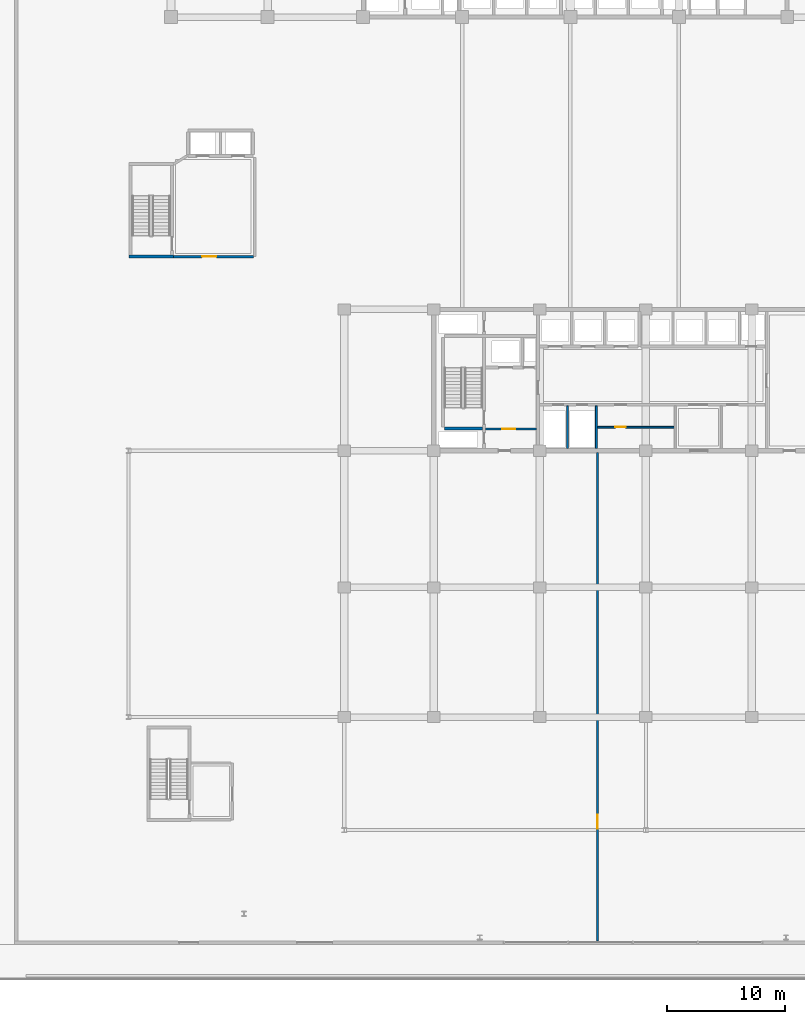
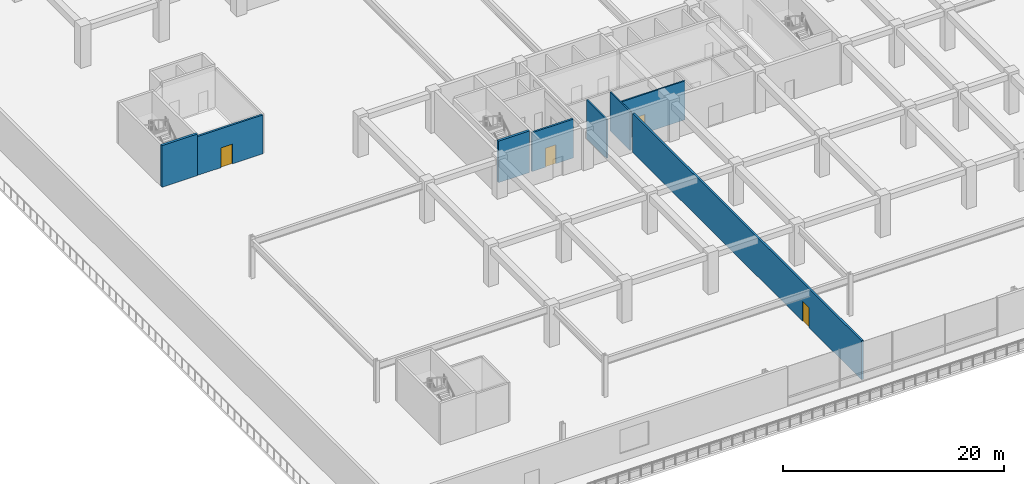
# One storey, part 20 of 45: 8 walls, 4 doors, 4 openings.
"""IFC4 building model written with IfcOpenShell, lengths in metres."""

from ifc_helpers import new_model, si_unit, direction, frame, frame_2d, origin, place, context, subcontext, project, spatial, rectangle, extrude, material, layer, layer_set, type_object, element, fill, save


model = new_model("IFC4")

# Units and contexts
model_context = context("Model", 3, precision=1e-05, world=origin(), true_north=direction((0.0, 1.0)))
body_context = subcontext(model_context, "Body", "Model", "MODEL_VIEW")
ifc_project = project(units=[si_unit("LENGTHUNIT", "METRE"), si_unit("AREAUNIT", "SQUARE_METRE"), si_unit("VOLUMEUNIT", "CUBIC_METRE"), si_unit("PLANEANGLEUNIT", "RADIAN"), si_unit("MASSUNIT", "GRAM", prefix="KILO")], contexts=[model_context])

# Site, building, storey
site_placement = place(None, origin())
site = spatial("IfcSite", under=ifc_project, at=site_placement, CompositionType="ELEMENT")
building_placement = place(site_placement, origin())
building = spatial("IfcBuilding", under=site, at=building_placement, Name="Korimba Cascade Residences", CompositionType="ELEMENT")
storey_placement = place(building_placement, frame((0.0, 0.0, 5.39990234375)))
storey = spatial("IfcBuildingStorey", under=building, at=storey_placement, Name="L01", CompositionType="ELEMENT", Elevation=5.39990234375)

# Walls
ifc_material_1 = material(Name="Insulated Acoustic Stud Partition", Category="gypsum")
ifc_layer_1 = layer(ifc_material_1, 0.14990234375)
ifc_layer_set_1 = layer_set([ifc_layer_1], Name="Insulated Acoustic Stud Partition")
wall_type_1 = type_object("IfcWallType", Name="WAL-PART-150", PredefinedType="PARTITIONING", material=ifc_layer_set_1)
for number, where, z_axis, x_axis, name in (
    (1, (93.449951171875, 18.60009765625, 0.0), (0.0, 0.0, 1.0), (0.0, 1.0, 0.0), "L01 Partition Wall CW-L01-T2-ERDIV"),
    (2, (95.89990234375, 18.60009765625, 0.0), (0.0, 0.0, 1.0), (0.0, 1.0, 0.0), "L01 Partition Wall CW-L01-T2-PRDIV"),
):
    element("IfcWall", number, at=place(storey_placement, frame(where, z_axis=z_axis, x_axis=x_axis)), inside=storey, type_object=wall_type_1, Name=name, PredefinedType="PARTITIONING", context=body_context, shape_type="SweptSolid", body=[
        extrude(rectangle(XDim=3.599853515625, YDim=0.14990234375, at=frame_2d((1.7998046875, 0.0))), origin(), (0.0, 0.0, 1.0), 4.300048828125),
    ])

# Wall, opening, door
wall_1_placement = place(storey_placement, frame((95.89990234375, 20.39990234375, 0.0), z_axis=(0.0, 0.0, 1.0), x_axis=(1.0, 0.0, 0.0)))
wall_1 = element("IfcWall", 3, at=wall_1_placement, inside=storey, type_object=wall_type_1, Name="L01 Partition Wall CW-L01-T2-CA2HZ", PredefinedType="PARTITIONING", context=body_context, shape_type="SweptSolid", body=[
    extrude(rectangle(XDim=6.7001953125, YDim=0.14990234375, at=frame_2d((3.35009765625, 0.0))), origin(), (0.0, 0.0, 1.0), 4.300048828125),
])
opening_1_placement = place(wall_1_placement, frame((1.60009765625, 0.0, 0.0)))
opening_1 = element("IfcOpeningElement", 4, at=opening_1_placement, cuts=wall_1, Name="Opening D-IN2", PredefinedType="OPENING", context=body_context, shape_type="SweptSolid", body=[
    extrude(rectangle(XDim=0.8798828125, YDim=2.06005859375, at=frame_2d((0.43994140625, 1.030029296875))), frame((0.0, 0.0849609375, 0.0), z_axis=(0.0, -1.0, 0.0), x_axis=(1.0, 0.0, 0.0)), (0.0, 0.0, 1.0), 0.169921875),
])
ifc_material_2 = material(Name="Acoustic Timber Bedroom Door", Category="wood")
door_type_1 = type_object("IfcDoorType", Name="DR-INT-880", OperationType="NOTDEFINED", PredefinedType="DOOR", material=ifc_material_2)
door_1_placement = place(opening_1_placement, origin())
door_1 = element("IfcDoor", 5, at=door_1_placement, inside=storey, type_object=door_type_1, Name="L01 T2 Pram Store Door", OperationType="SINGLE_SWING_LEFT", OverallHeight=2.06005859375, OverallWidth=0.8798828125, PredefinedType="DOOR", context=body_context, shape_type="SweptSolid", body=[
    extrude(rectangle(XDim=0.8798828125, YDim=2.06005859375, at=frame_2d((0.43994140625, 1.030029296875))), frame((0.0, 0.02490234375, 0.0), z_axis=(0.0, -1.0, 0.0), x_axis=(1.0, 0.0, 0.0)), (0.0, 0.0, 1.0), 0.050048828125),
])
fill(opening_1, door_1)

ifc_material_3 = material(Name="Concrete C40/50", Category="concrete")
ifc_layer_2 = layer(ifc_material_3, 0.199951171875)
ifc_layer_set_2 = layer_set([ifc_layer_2], Name="Concrete C40/50")
wall_type_2 = type_object("IfcWallType", Name="WAL-PART-200", PredefinedType="PARTITIONING", material=ifc_layer_set_2)
wall_2_placement = place(storey_placement, frame((86.5, 20.25, 0.0), z_axis=(0.0, 0.0, 1.0), x_axis=(1.0, 0.0, 0.0)))
wall_2 = element("IfcWall", 6, at=wall_2_placement, inside=storey, type_object=wall_type_2, Name="L01 Partition Wall CW-L01-T2-FFLS", PredefinedType="PARTITIONING", context=body_context, shape_type="SweptSolid", body=[
    extrude(rectangle(XDim=4.320068359375, YDim=0.199951171875, at=frame_2d((2.16015625, 0.0))), origin(), (0.0, 0.0, 1.0), 4.300048828125),
])
opening_2_placement = place(wall_2_placement, frame((1.39990234375, 0.0, 0.0)))
opening_2 = element("IfcOpeningElement", 7, at=opening_2_placement, cuts=wall_2, Name="Opening D-FD1", PredefinedType="OPENING", context=body_context, shape_type="SweptSolid", body=[
    extrude(rectangle(XDim=1.10009765625, YDim=2.10009765625, at=frame_2d((0.550048828125, 1.050048828125))), frame((0.0, 0.10986328125, 0.0), z_axis=(0.0, -1.0, 0.0), x_axis=(1.0, 0.0, 0.0)), (0.0, 0.0, 1.0), 0.219970703125),
])
ifc_material_4 = material(Name="Fire-Rated Steel Core Door", Category="steel")
door_type_2 = type_object("IfcDoorType", Name="DR-FD120-1100", OperationType="NOTDEFINED", PredefinedType="DOOR", material=ifc_material_4)
door_2_placement = place(opening_2_placement, origin())
door_2 = element("IfcDoor", 8, at=door_2_placement, inside=storey, type_object=door_type_2, Name="L01 T2 Firefighting Lobby Door", OperationType="SINGLE_SWING_RIGHT", OverallHeight=2.10009765625, OverallWidth=1.10009765625, PredefinedType="DOOR", context=body_context, shape_type="SweptSolid", body=[
    extrude(rectangle(XDim=1.10009765625, YDim=2.10009765625, at=frame_2d((0.550048828125, 1.050048828125))), frame((0.0, 0.02490234375, 0.0), z_axis=(0.0, -1.0, 0.0), x_axis=(1.0, 0.0, 0.0)), (0.0, 0.0, 1.0), 0.050048828125),
])
fill(opening_2, door_2)

wall_3_placement = place(storey_placement, frame((59.840087890625, 34.875, 0.0), z_axis=(0.0, 0.0, 1.0), x_axis=(1.0, 0.0, 0.0)))
wall_3 = element("IfcWall", 9, at=wall_3_placement, inside=storey, type_object=wall_type_2, Name="L01 Partition Wall CW-L01-PLOBS", PredefinedType="PARTITIONING", context=body_context, shape_type="SweptSolid", body=[
    extrude(rectangle(XDim=6.9599609375, YDim=0.199951171875, at=frame_2d((3.47998046875, 0.0))), origin(), (0.0, 0.0, 1.0), 4.300048828125),
])
opening_3_placement = place(wall_3_placement, frame((2.60009765625, 0.0, 0.0)))
opening_3 = element("IfcOpeningElement", 10, at=opening_3_placement, cuts=wall_3, Name="Opening D-FD7", PredefinedType="OPENING", context=body_context, shape_type="SweptSolid", body=[
    extrude(rectangle(XDim=1.199951171875, YDim=2.179931640625, at=frame_2d((0.60009765625, 1.08984375))), frame((0.0, 0.10986328125, 0.0), z_axis=(0.0, -1.0, 0.0), x_axis=(1.0, 0.0, 0.0)), (0.0, 0.0, 1.0), 0.219970703125),
])
ifc_material_5 = material(Name="Fire-Rated Shuttle Lobby Door", Category="wood")
door_type_3 = type_object("IfcDoorType", Name="DR-FD90-1200", OperationType="NOTDEFINED", PredefinedType="DOOR", material=ifc_material_5)
door_3_placement = place(opening_3_placement, origin())
door_3 = element("IfcDoor", 11, at=door_3_placement, inside=storey, type_object=door_type_3, Name="L01 Shuttle Lobby Door", OperationType="SINGLE_SWING_LEFT", OverallHeight=2.179931640625, OverallWidth=1.199951171875, PredefinedType="DOOR", context=body_context, shape_type="SweptSolid", body=[
    extrude(rectangle(XDim=1.199951171875, YDim=2.179931640625, at=frame_2d((0.60009765625, 1.08984375))), frame((0.0, 0.02490234375, 0.0), z_axis=(0.0, -1.0, 0.0), x_axis=(1.0, 0.0, 0.0)), (0.0, 0.0, 1.0), 0.050048828125),
])
fill(opening_3, door_3)

wall_4_placement = place(storey_placement, frame((96.0, -23.199951171875, 0.0), z_axis=(0.0, 0.0, 1.0), x_axis=(0.0, 1.0, 0.0)))
wall_4 = element("IfcWall", 12, at=wall_4_placement, inside=storey, type_object=wall_type_2, Name="L01 Partition Wall WAL-L01-SDIV", PredefinedType="PARTITIONING", context=body_context, shape_type="SweptSolid", body=[
    extrude(rectangle(XDim=41.449951171875, YDim=0.199951171875, at=frame_2d((20.72509765625, 0.0))), origin(), (0.0, 0.0, 1.0), 4.300048828125),
])
opening_4_placement = place(wall_4_placement, frame((9.5, 0.0, 0.0)))
opening_4 = element("IfcOpeningElement", 13, at=opening_4_placement, cuts=wall_4, Name="Opening D-AM1", PredefinedType="OPENING", context=body_context, shape_type="SweptSolid", body=[
    extrude(rectangle(XDim=1.219970703125, YDim=2.179931640625, at=frame_2d((0.60986328125, 1.08984375))), frame((0.0, 0.10986328125, 0.0), z_axis=(0.0, -1.0, 0.0), x_axis=(1.0, 0.0, 0.0)), (0.0, 0.0, 1.0), 0.219970703125),
])
ifc_material_6 = material(Name="Fire-Rated Glazed Timber Suite Door", Category="wood")
door_type_4 = type_object("IfcDoorType", Name="DR-FD60-1200", OperationType="NOTDEFINED", PredefinedType="DOOR", material=ifc_material_6)
door_4_placement = place(opening_4_placement, origin())
door_4 = element("IfcDoor", 14, at=door_4_placement, inside=storey, type_object=door_type_4, Name="L01 South Podium Link Door", OperationType="SINGLE_SWING_LEFT", OverallHeight=2.179931640625, OverallWidth=1.219970703125, PredefinedType="DOOR", context=body_context, shape_type="SweptSolid", body=[
    extrude(rectangle(XDim=1.219970703125, YDim=2.179931640625, at=frame_2d((0.60986328125, 1.08984375))), frame((0.0, 0.02490234375, 0.0), z_axis=(0.0, -1.0, 0.0), x_axis=(1.0, 0.0, 0.0)), (0.0, 0.0, 1.0), 0.050048828125),
])
fill(opening_4, door_4)

# Walls
ifc_material_7 = material(Name="Concrete C50/60", Category="concrete")
ifc_layer_3 = layer(ifc_material_7, 0.25)
ifc_layer_set_3 = layer_set([ifc_layer_3], Name="Concrete C50/60")
wall_type_3 = type_object("IfcWallType", Name="WAL-SHAFT-250", PredefinedType="SHEAR", material=ifc_layer_set_3)
wall_5_placement = place(storey_placement, frame((83.0, 20.27490234375, 0.0), z_axis=(0.0, 0.0, 1.0), x_axis=(1.0, 0.0, 0.0)))
element("IfcWall", 15, at=wall_5_placement, inside=storey, type_object=wall_type_3, Name="L01 Core Shear Wall CW-L01-T2-STE1S", PredefinedType="SHEAR", context=body_context, shape_type="SweptSolid", body=[
    extrude(rectangle(XDim=3.239990234375, YDim=0.25, at=frame_2d((1.6201171875, 0.0))), origin(), (0.0, 0.0, 1.0), 4.60009765625),
])
wall_6_placement = place(storey_placement, frame((56.25, 34.875, 0.0), z_axis=(0.0, 0.0, 1.0), x_axis=(1.0, 0.0, 0.0)))
element("IfcWall", 16, at=wall_6_placement, inside=storey, type_object=wall_type_3, Name="L01 Core Shear Wall CW-L01-STP1S", PredefinedType="SHEAR", context=body_context, shape_type="SweptSolid", body=[
    extrude(rectangle(XDim=3.739990234375, YDim=0.25, at=frame_2d((1.8701171875, 0.0))), origin(), (0.0, 0.0, 1.0), 4.60009765625),
])

save(model, "model.ifc")
